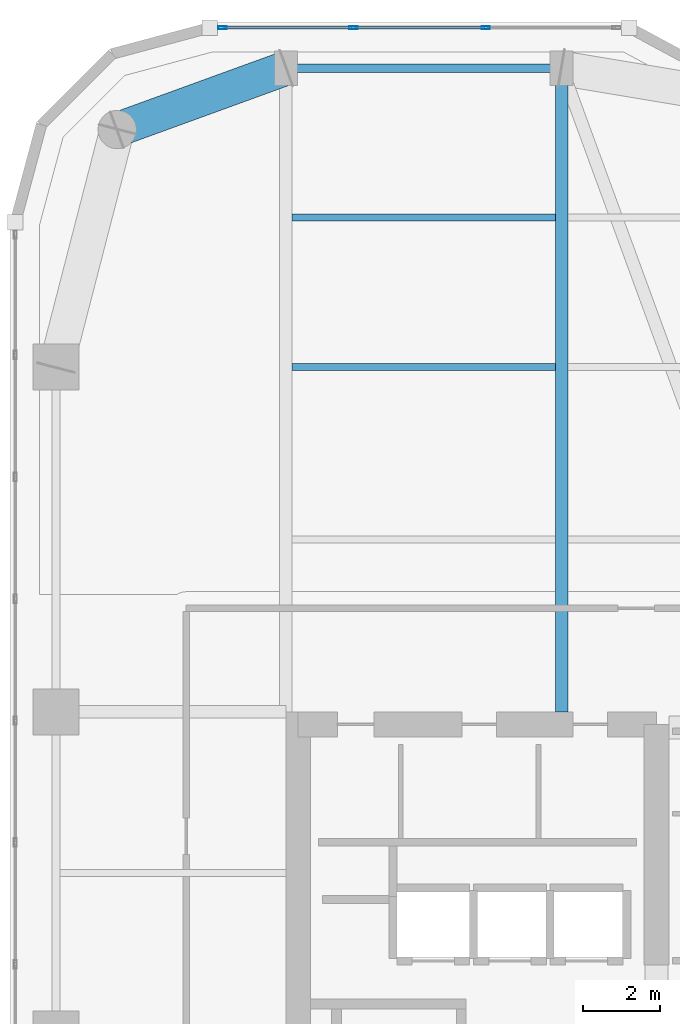
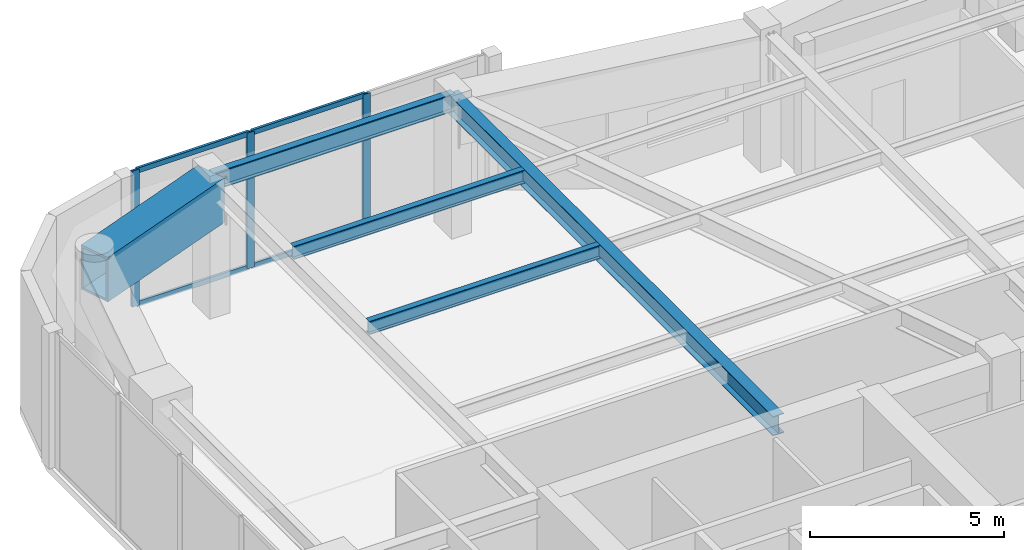
# One storey, part 5 of 18: 7 members, 5 beams, 1 element without a shape of its own.
"""IFC4 building model written with IfcOpenShell, lengths in metres."""

from ifc_helpers import new_model, si_unit, direction, frame, origin, origin_2d, place, context, subcontext, project, spatial, hollow_rectangle, i_section, extrude, material, layer, layer_set, material_profile, profile_set, type_object, element, aggregate, save


model = new_model("IFC4")

# Units and contexts
model_context = context("Model", 3, precision=1e-05, world=origin(), true_north=direction((0.0, 1.0)))
body_context = subcontext(model_context, "Body", "Model", "MODEL_VIEW")
ifc_project = project(units=[si_unit("LENGTHUNIT", "METRE"), si_unit("AREAUNIT", "SQUARE_METRE"), si_unit("VOLUMEUNIT", "CUBIC_METRE"), si_unit("PLANEANGLEUNIT", "RADIAN"), si_unit("MASSUNIT", "GRAM", prefix="KILO")], contexts=[model_context])

# Site, building, storey
site_placement = place(None, origin())
site = spatial("IfcSite", under=ifc_project, at=site_placement, CompositionType="ELEMENT")
building_placement = place(site_placement, origin())
building = spatial("IfcBuilding", under=site, at=building_placement, Name="Kiyonajd Concourse Tower", CompositionType="ELEMENT")
storey_placement = place(building_placement, frame((0.0, 0.0, 214.800048828125)))
storey = spatial("IfcBuildingStorey", under=building, at=storey_placement, Name="L54", CompositionType="ELEMENT", Elevation=214.800048828125)

# Beams
ifc_material_1 = material(Name="Steel ASTM A992 Grade 50", Category="steel")
ifc_material_profile_1 = material_profile(ifc_material_1, i_section(OverallWidth=0.180908203125, OverallDepth=0.4169921875, WebThickness=0.010986328125, FlangeThickness=0.018310546875, at=origin_2d()), Name="W410X85")
ifc_profile_set_1 = profile_set([ifc_material_profile_1], Name="Steel ASTM A992 Grade 50")
beam_type_1 = type_object("IfcBeamType", Name="BM-JST-410", PredefinedType="JOIST", material=ifc_profile_set_1)
for number, where, z_axis, x_axis, name in (
    (1, (32.56201171875, 53.39990234375, 4.071533203125), (1.0, 0.0, 0.0), (0.0, 1.0, 0.0), "L54 Secondary Floor Joist"),
    (2, (32.56201171875, 57.300048828125, 4.071533203125), (1.0, 0.0, 0.0), (0.0, 1.0, 0.0), "L54 Secondary Floor Joist"),
):
    element("IfcBeam", number, at=place(storey_placement, frame(where, z_axis=z_axis, x_axis=x_axis)), inside=storey, type_object=beam_type_1, Name=name, PredefinedType="JOIST", context=body_context, shape_type="SweptSolid", body=[
        extrude(i_section(OverallWidth=0.180908203125, OverallDepth=0.4169921875, WebThickness=0.010986328125, FlangeThickness=0.018310546875, at=origin_2d()), origin(), (0.0, 0.0, 1.0), 6.8759765625),
    ])
ifc_material_profile_2 = material_profile(ifc_material_1, i_section(OverallWidth=0.214111328125, OverallDepth=0.549072265625, WebThickness=0.0146484375, FlangeThickness=0.023681640625, at=origin_2d()), Name="W530X138")
ifc_profile_set_2 = profile_set([ifc_material_profile_2], Name="Steel ASTM A992 Grade 50")
beam_type_2 = type_object("IfcBeamType", Name="BM-SPAN-530A", PredefinedType="SPANDREL", material=ifc_profile_set_2)
beam_1_placement = place(storey_placement, frame((39.60009765625, 61.199951171875, 4.00537109375), z_axis=(-1.0, 0.0, 0.0), x_axis=(0.0, -1.0, 0.0)))
element("IfcBeam", 3, at=beam_1_placement, inside=storey, type_object=beam_type_2, Name="L54 Perimeter Bundled Tube Spandrel", PredefinedType="SPANDREL", context=body_context, shape_type="SweptSolid", body=[
    extrude(i_section(OverallWidth=0.214111328125, OverallDepth=0.549072265625, WebThickness=0.0146484375, FlangeThickness=0.023681640625, at=origin_2d()), origin(), (0.0, 0.0, 1.0), 7.2001953125),
])
ifc_material_profile_3 = material_profile(ifc_material_1, i_section(OverallWidth=0.323974609375, OverallDepth=0.611083984375, WebThickness=0.0126953125, FlangeThickness=0.01904296875, at=origin_2d()), Name="W610X155")
ifc_profile_set_3 = profile_set([ifc_material_profile_3], Name="Steel ASTM A992 Grade 50")
beam_type_3 = type_object("IfcBeamType", Name="BM-TWR-610B", PredefinedType="BEAM", material=ifc_profile_set_3)
beam_2_placement = place(storey_placement, frame((39.60009765625, 44.39990234375, 3.974365234375), z_axis=(0.0, 1.0, 0.0), x_axis=(-1.0, 0.0, 0.0)))
element("IfcBeam", 4, at=beam_2_placement, inside=storey, type_object=beam_type_3, Name="L54 North Lease Girder", PredefinedType="BEAM", context=body_context, shape_type="SweptSolid", body=[
    extrude(i_section(OverallWidth=0.323974609375, OverallDepth=0.611083984375, WebThickness=0.0126953125, FlangeThickness=0.01904296875, at=origin_2d()), origin(), (0.0, 0.0, 1.0), 16.800048828125),
])
ifc_material_2 = material(Name="Steel ASTM A572 Grade 50", Category="steel")
ifc_material_profile_4 = material_profile(ifc_material_2, hollow_rectangle(XDim=0.89990234375, YDim=1.39990234375, WallThickness=0.070068359375, at=origin_2d()), Name="BOX-1400x900x70")
ifc_profile_set_4 = profile_set([ifc_material_profile_4], Name="Steel ASTM A572 Grade 50")
beam_type_4 = type_object("IfcBeamType", Name="BM-XFER-1400", PredefinedType="BEAM", material=ifc_profile_set_4)
beam_3_placement = place(storey_placement, frame((32.39990234375, 61.199951171875, 3.579833984375), z_axis=(-0.939801036019, -0.341722127901, 0.0), x_axis=(0.341722127901, -0.939801036019, 0.0)))
element("IfcBeam", 5, at=beam_3_placement, inside=storey, type_object=beam_type_4, Name="L54 Perimeter Bundled Tube Spandrel", PredefinedType="BEAM", context=body_context, shape_type="SweptSolid", body=[
    extrude(hollow_rectangle(XDim=0.89990234375, YDim=1.39990234375, WallThickness=0.070068359375, at=origin_2d()), origin(), (0.0, 0.0, 1.0), 4.681640625),
])

# Curtain wall, members
ifc_material_3 = material(Name="Thermally Broken Anodised Aluminium", Category="aluminium")
ifc_layer = layer(ifc_material_3, 0.179931640625)
ifc_layer_set = layer_set([ifc_layer], Name="Thermally Broken Anodised Aluminium")
curtain_wall_type = type_object("IfcCurtainWallType", Name="CW-SYS-05", PredefinedType="NOTDEFINED", material=ifc_layer_set)
curtain_wall_placement = place(storey_placement, origin())
curtain_wall = element("IfcCurtainWall", 6, at=curtain_wall_placement, inside=storey, type_object=curtain_wall_type, Name="L54 Unitised Curtain Wall CW5", PredefinedType="NOTDEFINED")
ifc_material_profile_5 = material_profile(ifc_material_3, hollow_rectangle(XDim=0.074951171875, YDim=0.219970703125, WallThickness=0.0048828125, at=origin_2d()), Name="MULL-75x220")
ifc_profile_set_5 = profile_set([ifc_material_profile_5], Name="Thermally Broken Anodised Aluminium")
member_type_1 = type_object("IfcMemberType", Name="MB-CW-MULL2", PredefinedType="MULLION", material=ifc_profile_set_5)
member_1_placement = place(storey_placement, frame((30.745849609375, 62.260009765625, 0.0), z_axis=(0.0, 0.0, 1.0), x_axis=(0.0, 1.0, 0.0)))
member_1 = element("IfcMember", 7, at=member_1_placement, type_object=member_type_1, Name="CW5 mullion 1", PredefinedType="MULLION", context=body_context, shape_type="SweptSolid", body=[
    extrude(hollow_rectangle(XDim=0.074951171875, YDim=0.219970703125, WallThickness=0.0048828125, at=origin_2d()), origin(), (0.0, 0.0, 1.0), 4.280029296875),
])
member_2_placement = place(storey_placement, frame((34.163818359375, 62.260009765625, 0.0), z_axis=(0.0, 0.0, 1.0), x_axis=(0.0, 1.0, 0.0)))
member_2 = element("IfcMember", 8, at=member_2_placement, type_object=member_type_1, Name="CW5 mullion 2", PredefinedType="MULLION", context=body_context, shape_type="SweptSolid", body=[
    extrude(hollow_rectangle(XDim=0.074951171875, YDim=0.219970703125, WallThickness=0.0048828125, at=origin_2d()), origin(), (0.0, 0.0, 1.0), 4.280029296875),
])
member_3_placement = place(storey_placement, frame((37.619384765625, 62.260009765625, 0.0), z_axis=(0.0, 0.0, 1.0), x_axis=(0.0, 1.0, 0.0)))
member_3 = element("IfcMember", 9, at=member_3_placement, type_object=member_type_1, Name="CW5 mullion 3", PredefinedType="MULLION", context=body_context, shape_type="SweptSolid", body=[
    extrude(hollow_rectangle(XDim=0.074951171875, YDim=0.219970703125, WallThickness=0.0048828125, at=origin_2d()), origin(), (0.0, 0.0, 1.0), 4.280029296875),
])
ifc_material_profile_6 = material_profile(ifc_material_3, hollow_rectangle(XDim=0.074951171875, YDim=0.159912109375, WallThickness=0.0048828125, at=origin_2d()), Name="TRAN-75x160")
ifc_profile_set_6 = profile_set([ifc_material_profile_6], Name="Thermally Broken Anodised Aluminium")
member_type_2 = type_object("IfcMemberType", Name="MB-CW-TRAN2", PredefinedType="USERDEFINED", material=ifc_profile_set_6)
member_4_placement = place(storey_placement, frame((30.783447265625, 62.260009765625, 0.037353515625), z_axis=(1.0, 0.0, 0.0), x_axis=(0.0, 1.0, 0.0)))
member_4 = element("IfcMember", 10, at=member_4_placement, type_object=member_type_2, Name="CW5 transom 1.1", ObjectType="TRANSOM", PredefinedType="USERDEFINED", context=body_context, shape_type="SweptSolid", body=[
    extrude(hollow_rectangle(XDim=0.074951171875, YDim=0.159912109375, WallThickness=0.0048828125, at=origin_2d()), origin(), (0.0, 0.0, 1.0), 3.3427734375),
])
member_5_placement = place(storey_placement, frame((30.783447265625, 62.260009765625, 4.242431640625), z_axis=(1.0, 0.0, 0.0), x_axis=(0.0, 1.0, 0.0)))
member_5 = element("IfcMember", 11, at=member_5_placement, type_object=member_type_2, Name="CW5 transom 1.2", ObjectType="TRANSOM", PredefinedType="USERDEFINED", context=body_context, shape_type="SweptSolid", body=[
    extrude(hollow_rectangle(XDim=0.074951171875, YDim=0.159912109375, WallThickness=0.0048828125, at=origin_2d()), origin(), (0.0, 0.0, 1.0), 3.3427734375),
])
member_6_placement = place(storey_placement, frame((34.201416015625, 62.260009765625, 0.037353515625), z_axis=(1.0, 0.0, 0.0), x_axis=(0.0, 1.0, 0.0)))
member_6 = element("IfcMember", 12, at=member_6_placement, type_object=member_type_2, Name="CW5 transom 2.1", ObjectType="TRANSOM", PredefinedType="USERDEFINED", context=body_context, shape_type="SweptSolid", body=[
    extrude(hollow_rectangle(XDim=0.074951171875, YDim=0.159912109375, WallThickness=0.0048828125, at=origin_2d()), origin(), (0.0, 0.0, 1.0), 3.38037109375),
])
member_7_placement = place(storey_placement, frame((34.201416015625, 62.260009765625, 4.242431640625), z_axis=(1.0, 0.0, 0.0), x_axis=(0.0, 1.0, 0.0)))
member_7 = element("IfcMember", 13, at=member_7_placement, type_object=member_type_2, Name="CW5 transom 2.2", ObjectType="TRANSOM", PredefinedType="USERDEFINED", context=body_context, shape_type="SweptSolid", body=[
    extrude(hollow_rectangle(XDim=0.074951171875, YDim=0.159912109375, WallThickness=0.0048828125, at=origin_2d()), origin(), (0.0, 0.0, 1.0), 3.38037109375),
])
aggregate(curtain_wall, [member_1, member_2, member_3, member_4, member_5, member_6, member_7])

save(model, "model.ifc")
